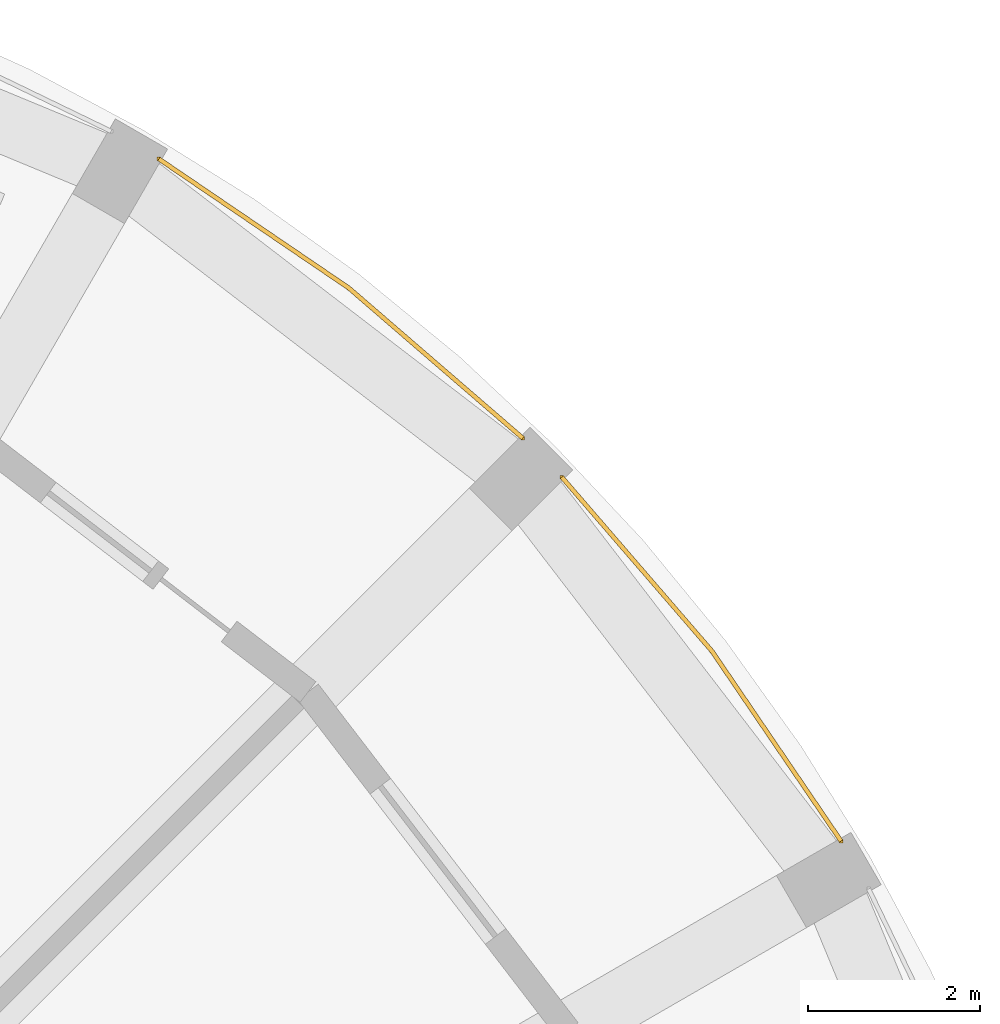
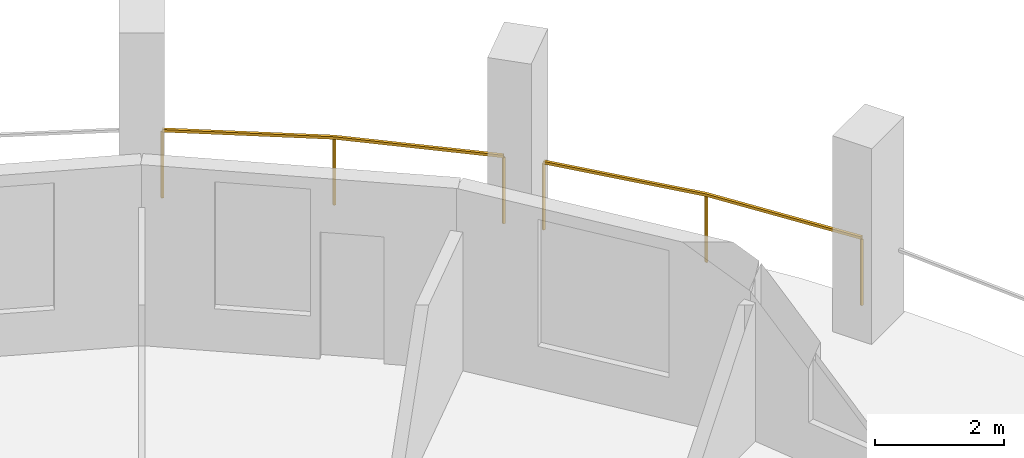
# One storey, part 9 of 9: 2 railings.
"""IFC4 building model written with IfcOpenShell, lengths in metres."""

import ifcopenshell
import ifcopenshell.guid

model = None  # the IFC model being written
_history = None  # IfcOwnerHistory: only IFC2X3 demands one
_inside = {}  # id of a spatial element -> (the spatial element, [elements in it])
_under = {}  # id of a project, library or spatial element -> (it, [spatial elements below it])
_declared = {}  # id of a project -> (the project, [libraries it declares])
_typed = {}  # id of a type object -> (the type object, [elements of that type])
_made_of = {}  # id of a material, layer set ... -> (it, [elements and type objects made of it])


def new_model(schema):
    """Start an empty IFC model of exactly this schema.

    Asked for "IFC4X3", IfcOpenShell would pick the latest addendum, in which some entities
    have other attributes; the version numbers below select the first issue.
    IFC2X3 requires an IfcOwnerHistory on every rooted entity: one is made here for all.
    """
    global model, _history
    if schema == "IFC4X3":
        model = ifcopenshell.file(schema_version=(4, 3, 0, 0))
    else:
        model = ifcopenshell.file(schema=schema)
    _inside.clear()
    _under.clear()
    _declared.clear()
    _typed.clear()
    _made_of.clear()
    _history = None
    if model.schema == "IFC2X3":
        org = make("IfcOrganization", Name="unknown")
        user = make(
            "IfcPersonAndOrganization",
            ThePerson=make("IfcPerson", FamilyName="unknown"),
            TheOrganization=org,
        )
        app = make(
            "IfcApplication",
            ApplicationDeveloper=org,
            Version="unknown",
            ApplicationFullName="unknown",
            ApplicationIdentifier="unknown",
        )
        _history = make(
            "IfcOwnerHistory",
            OwningUser=user,
            OwningApplication=app,
            ChangeAction="ADDED",
            CreationDate=0,
        )
    return model


def make(cls, **values):
    """One entity of the class cls with the attributes given. An attribute that is None is left unset."""
    return model.create_entity(
        cls, **{name: value for name, value in values.items() if value is not None}
    )


def rooted(cls, **values):
    """An entity with a GlobalId (a new one), such as an element, a storey or a relation."""
    return make(cls, GlobalId=ifcopenshell.guid.new(), OwnerHistory=_history, **values)


def si_unit(unit_type, name, prefix=None):
    """IfcSIUnit, for example si_unit("LENGTHUNIT", "METRE", prefix="MILLI")."""
    return make("IfcSIUnit", UnitType=unit_type, Prefix=prefix, Name=name)


def assignment(units):
    """IfcUnitAssignment: the units of a project."""
    return None if units is None else make("IfcUnitAssignment", Units=units)


def point(xyz):
    """IfcCartesianPoint."""
    return None if xyz is None else make("IfcCartesianPoint", Coordinates=xyz)


def direction(xyz):
    """IfcDirection."""
    return None if xyz is None else make("IfcDirection", DirectionRatios=xyz)


def frame(location, z_axis=None, x_axis=None):
    """IfcAxis2Placement3D, a coordinate frame: its origin and axes. An axis left out is left unset."""
    return make(
        "IfcAxis2Placement3D",
        Location=point(location),
        Axis=direction(z_axis),
        RefDirection=direction(x_axis),
    )


def frame_2d(location, x_axis=None):
    """IfcAxis2Placement2D, a coordinate frame in the plane: its origin and x axis."""
    return make(
        "IfcAxis2Placement2D", Location=point(location), RefDirection=direction(x_axis)
    )


def origin():
    """The frame at (0, 0, 0) with its axes left unset."""
    return frame((0.0, 0.0, 0.0))


def origin_2d():
    """The frame at (0, 0) in the plane with its x axis left unset."""
    return frame_2d((0.0, 0.0))


def place(relative_to, where):
    """IfcLocalPlacement: puts the frame where relative to a parent placement (None: the world)."""
    return make(
        "IfcLocalPlacement", PlacementRelTo=relative_to, RelativePlacement=where
    )


def context(
    kind, dimensions, precision=None, world=None, true_north=None, identifier=None
):
    """IfcGeometricRepresentationContext, for example the 3D "Model" context."""
    return make(
        "IfcGeometricRepresentationContext",
        ContextIdentifier=identifier,
        ContextType=kind,
        CoordinateSpaceDimension=dimensions,
        Precision=precision,
        WorldCoordinateSystem=world,
        TrueNorth=true_north,
    )


def subcontext(parent, identifier, kind, view, scale=None):
    """IfcGeometricRepresentationSubContext, for example "Body" below "Model"."""
    return make(
        "IfcGeometricRepresentationSubContext",
        ContextIdentifier=identifier,
        ContextType=kind,
        ParentContext=parent,
        TargetScale=scale,
        TargetView=view,
    )


def project(units=None, contexts=None):
    """IfcProject with its units and contexts."""
    return rooted(
        "IfcProject",
        Name="project",
        RepresentationContexts=contexts,
        UnitsInContext=assignment(units),
    )


def spatial(cls, under=None, at=None, **own):
    """A site, building, storey or space (cls), placed at a placement, below another one or the project."""
    s = rooted(cls, ObjectPlacement=at, **own)
    if under is not None:
        _under.setdefault(under.id(), (under, []))[1].append(s)
    return s


def profile(cls, at=None, kind="AREA", **sizes):
    """A parametric profile (cls). Its sizes go by their IFC names, for example OverallWidth=200.0."""
    return make(cls, ProfileType=kind, Position=at, **sizes)


def rectangle(**sizes):
    """IfcRectangleProfileDef."""
    return profile("IfcRectangleProfileDef", **sizes)


def extrude(swept, where, along, depth):
    """IfcExtrudedAreaSolid: the profile swept, set in the frame where, extruded along a direction by depth."""
    return make(
        "IfcExtrudedAreaSolid",
        SweptArea=swept,
        Position=where,
        ExtrudedDirection=direction(along),
        Depth=depth,
    )


def shape(context_of_items, identifier, shape_type, items):
    """IfcShapeRepresentation: the items that make up one representation, for example the "Body"."""
    return make(
        "IfcShapeRepresentation",
        ContextOfItems=context_of_items,
        RepresentationIdentifier=identifier,
        RepresentationType=shape_type,
        Items=items,
    )


def material(Name=None, Category=None):
    """IfcMaterial."""
    return make("IfcMaterial", Name=Name, Category=Category)


def made_of(thing, what):
    """Note that an element or type object is made of a material, layer set ...; save() writes the relation."""
    if what is not None:
        _made_of.setdefault(what.id(), (what, []))[1].append(thing)
    return thing


def type_object(cls, material=None, **own):
    """A type object (cls), such as IfcWallType, which elements share."""
    return made_of(rooted(cls, **own), material)


def element(
    cls,
    number,
    at=None,
    inside=None,
    cuts=None,
    type_object=None,
    material=None,
    context=None,
    identifier="Body",
    shape_type=None,
    held_by="IfcProductDefinitionShape",
    body=None,
    shapes=None,
    **own,
):
    """One element of the class cls, such as IfcWall. Its Tag is "e" and its number.

    at: its placement. inside: the storey or other place that contains it. cuts: it is an
    opening in that element (IfcRelVoidsElement). A single representation is given by context,
    identifier, shape_type and body (its items); several are given by shapes. held_by: the class
    of the entity that holds the representations. save() writes the other relations.
    """
    e = rooted(cls, Tag="e%d" % number, ObjectPlacement=at, **own)
    if body is not None:
        shapes = [shape(context, identifier, shape_type, body)]
    if shapes is not None:
        e.Representation = make(held_by, Representations=shapes)
    if inside is not None:
        _inside.setdefault(inside.id(), (inside, []))[1].append(e)
    if cuts is not None:
        rooted(
            "IfcRelVoidsElement", RelatingBuildingElement=cuts, RelatedOpeningElement=e
        )
    if type_object is not None:
        _typed.setdefault(type_object.id(), (type_object, []))[1].append(e)
    return made_of(e, material)


def aggregate(whole, parts):
    """IfcRelAggregates: a whole, such as a stair, and the parts it consists of."""
    return rooted("IfcRelAggregates", RelatingObject=whole, RelatedObjects=parts)


def save(model, path):
    """Write the relations noted so far, then the file.

    IfcRelAggregates (storeys below a building ...), IfcRelContainedInSpatialStructure (elements
    in a storey), IfcRelDefinesByType, IfcRelAssociatesMaterial and IfcRelDeclares: one each for
    every whole, place, type object, material and project.
    """
    for whole, parts in _under.values():
        aggregate(whole, parts)
    for where, things in _inside.values():
        rooted(
            "IfcRelContainedInSpatialStructure",
            RelatedElements=things,
            RelatingStructure=where,
        )
    for kind, things in _typed.values():
        rooted("IfcRelDefinesByType", RelatedObjects=things, RelatingType=kind)
    for what, things in _made_of.values():
        rooted("IfcRelAssociatesMaterial", RelatedObjects=things, RelatingMaterial=what)
    for by, libraries in _declared.values():
        rooted("IfcRelDeclares", RelatingContext=by, RelatedDefinitions=libraries)
    model.write(path)


model = new_model("IFC4")

# Units and contexts
model_context = context("Model", 3, precision=1e-05, world=origin(), true_north=direction((0.0, 1.0)))
body_context = subcontext(model_context, "Body", "Model", "MODEL_VIEW")
ifc_project = project(units=[si_unit("LENGTHUNIT", "METRE"), si_unit("AREAUNIT", "SQUARE_METRE"), si_unit("VOLUMEUNIT", "CUBIC_METRE"), si_unit("PLANEANGLEUNIT", "RADIAN"), si_unit("MASSUNIT", "GRAM", prefix="KILO")], contexts=[model_context])

# Site, building, storey
site_placement = place(None, origin())
site = spatial("IfcSite", under=ifc_project, at=site_placement, CompositionType="ELEMENT")
building_placement = place(site_placement, origin())
building = spatial("IfcBuilding", under=site, at=building_placement, Name="Torre Triforio", CompositionType="ELEMENT")
storey_placement = place(building_placement, frame((0.0, 0.0, 165.300048828125)))
storey = spatial("IfcBuildingStorey", under=building, at=storey_placement, Name="L37", CompositionType="ELEMENT", Elevation=165.300048828125)

# Railings
ifc_material = material(Name="Stainless steel AISI 316", Category="steel")
railing_type = type_object("IfcRailingType", Name="Loggia guard 1300", PredefinedType="GUARDRAIL", material=ifc_material)
railing_1_placement = place(storey_placement, frame((19.628662109375, 11.7021484375, 0.0)))
element("IfcRailing", 1, at=railing_1_placement, inside=storey, type_object=railing_type, Name="Loggia guard L37 bay 03", PredefinedType="GUARDRAIL", context=body_context, shape_type="SweptSolid", body=[
    extrude(rectangle(XDim=0.050048828125, YDim=0.050048828125, at=origin_2d()), frame((0.0, 0.0, 1.27490234375), z_axis=(-0.562064856935, 0.827093160774, 0.0), x_axis=(-0.827093160774, -0.562064856935, 0.0)), (0.0, 0.0, 1.0), 2.669677734375),
    extrude(rectangle(XDim=0.050048828125, YDim=0.050048828125, at=origin_2d()), frame((-1.50048828125, 2.2080078125, 1.27490234375), z_axis=(-0.653400799038, 0.757012150376, 0.0), x_axis=(-0.757012150376, -0.653400799038, 0.0)), (0.0, 0.0, 1.0), 2.669677734375),
    extrude(rectangle(XDim=0.0400390625, YDim=0.0400390625, at=origin_2d()), origin(), (0.0, 0.0, 1.0), 1.25),
    extrude(rectangle(XDim=0.0400390625, YDim=0.0400390625, at=origin_2d()), frame((-1.50048828125, 2.2080078125, 0.0)), (0.0, 0.0, 1.0), 1.25),
    extrude(rectangle(XDim=0.0400390625, YDim=0.0400390625, at=origin_2d()), frame((-3.244873046875, 4.22900390625, 0.0)), (0.0, 0.0, 1.0), 1.25),
])
railing_2_placement = place(storey_placement, frame((15.93115234375, 16.3837890625, 0.0)))
element("IfcRailing", 2, at=railing_2_placement, inside=storey, type_object=railing_type, Name="Loggia guard L37 bay 04", PredefinedType="GUARDRAIL", context=body_context, shape_type="SweptSolid", body=[
    extrude(rectangle(XDim=0.050048828125, YDim=0.050048828125, at=origin_2d()), frame((0.0, 0.0, 1.27490234375), z_axis=(-0.757012150376, 0.653400799038, 0.0), x_axis=(-0.653400799038, -0.757012150376, 0.0)), (0.0, 0.0, 1.0), 2.669677734375),
    extrude(rectangle(XDim=0.050048828125, YDim=0.050048828125, at=origin_2d()), frame((-2.02099609375, 1.744384765625, 1.27490234375), z_axis=(-0.827093160774, 0.562064856935, 0.0), x_axis=(-0.562064856935, -0.827093160774, 0.0)), (0.0, 0.0, 1.0), 2.669677734375),
    extrude(rectangle(XDim=0.0400390625, YDim=0.0400390625, at=origin_2d()), origin(), (0.0, 0.0, 1.0), 1.25),
    extrude(rectangle(XDim=0.0400390625, YDim=0.0400390625, at=origin_2d()), frame((-2.02099609375, 1.744384765625, 0.0)), (0.0, 0.0, 1.0), 1.25),
    extrude(rectangle(XDim=0.0400390625, YDim=0.0400390625, at=origin_2d()), frame((-4.22900390625, 3.244873046875, 0.0)), (0.0, 0.0, 1.0), 1.25),
])

save(model, "model.ifc")
